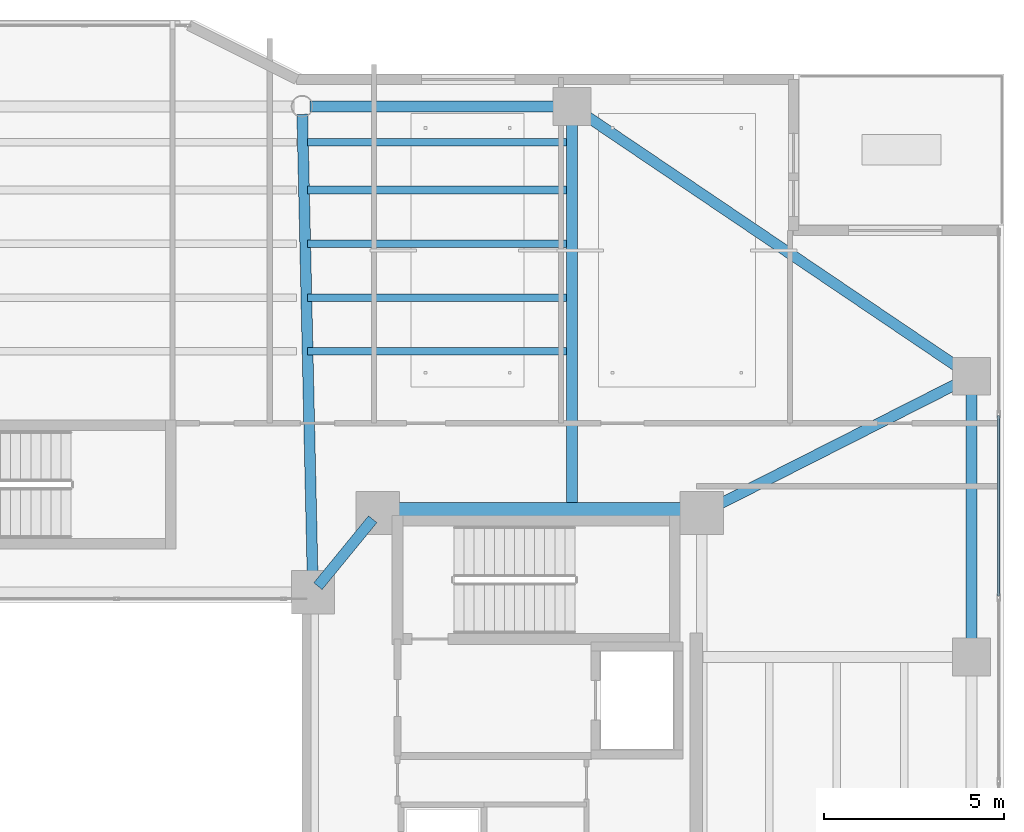
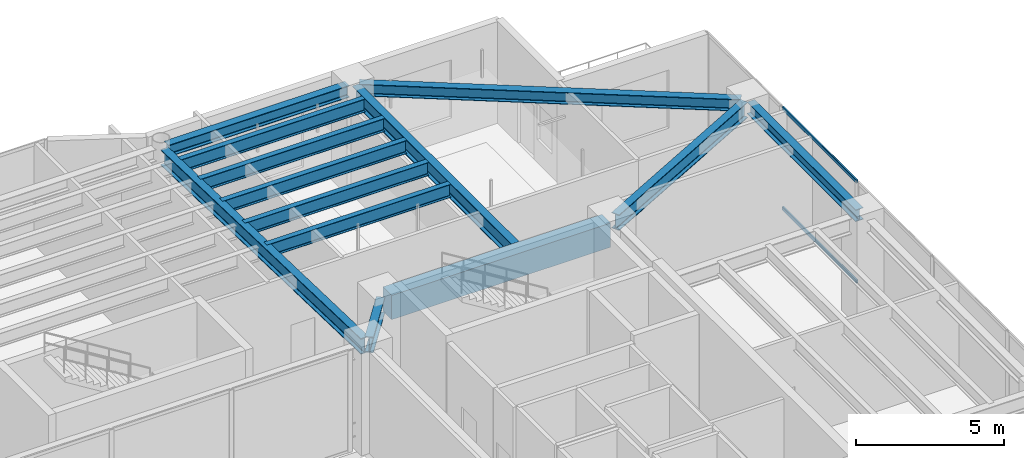
# One storey, part 24 of 37: 13 beams, 2 members, 1 element without a shape of its own.
"""IFC4 building model written with IfcOpenShell, lengths in metres."""

from ifc_helpers import new_model, si_unit, direction, frame, origin, origin_2d, place, context, subcontext, project, spatial, rectangle, hollow_rectangle, i_section, extrude, material, layer, layer_set, material_profile, profile_set, type_object, element, aggregate, save


model = new_model("IFC4")

# Units and contexts
model_context = context("Model", 3, precision=1e-05, world=origin(), true_north=direction((0.0, 1.0)))
body_context = subcontext(model_context, "Body", "Model", "MODEL_VIEW")
ifc_project = project(units=[si_unit("LENGTHUNIT", "METRE"), si_unit("AREAUNIT", "SQUARE_METRE"), si_unit("VOLUMEUNIT", "CUBIC_METRE"), si_unit("PLANEANGLEUNIT", "RADIAN"), si_unit("MASSUNIT", "GRAM", prefix="KILO")], contexts=[model_context])

# Site, building, storey
site_placement = place(None, origin())
site = spatial("IfcSite", under=ifc_project, at=site_placement, CompositionType="ELEMENT")
building_placement = place(site_placement, origin())
building = spatial("IfcBuilding", under=site, at=building_placement, Name="Tarnavaz Court Tower", CompositionType="ELEMENT")
storey_placement = place(building_placement, frame((0.0, 0.0, 118.5)))
storey = spatial("IfcBuildingStorey", under=building, at=storey_placement, Name="L32", CompositionType="ELEMENT", Elevation=118.5)

# Beams
ifc_material_1 = material(Name="Concrete C60/75", Category="concrete")
ifc_material_profile_1 = material_profile(ifc_material_1, rectangle(XDim=0.60009765625, YDim=1.0, at=origin_2d()), Name="RC 600X1000")
ifc_profile_set_1 = profile_set([ifc_material_profile_1], Name="Concrete C60/75")
beam_type_1 = type_object("IfcBeamType", Name="BM-CB1000", PredefinedType="LINTEL", material=ifc_profile_set_1)
beam_1_placement = place(storey_placement, frame((18.3798828125, 10.0, 3.699951171875), z_axis=(-1.0, 0.0, 0.0), x_axis=(0.0, -1.0, 0.0)))
element("IfcBeam", 1, at=beam_1_placement, inside=storey, type_object=beam_type_1, Name="L32 Beam IN-CE-NO-CE-NI", PredefinedType="LINTEL", context=body_context, shape_type="SweptSolid", body=[
    extrude(rectangle(XDim=0.60009765625, YDim=1.0, at=origin_2d()), origin(), (0.0, 0.0, 1.0), 8.559814453125),
])
ifc_material_2 = material(Name="Steel S355", Category="steel")
ifc_material_profile_2 = material_profile(ifc_material_2, i_section(OverallWidth=0.300048828125, OverallDepth=0.64990234375, WebThickness=0.01611328125, FlangeThickness=0.031005859375, FilletRadius=0.027099609375, at=origin_2d()), Name="HEB 650")
ifc_profile_set_2 = profile_set([ifc_material_profile_2], Name="Steel S355")
beam_type_2 = type_object("IfcBeamType", Name="BM-G-HEB650", PredefinedType="USERDEFINED", material=ifc_profile_set_2)
beam_2_placement = place(storey_placement, frame((9.460693359375, 9.82958984375, 3.875), z_axis=(-0.633282058357, -0.773921077735, 0.0), x_axis=(0.773921077735, -0.633282058357, 0.0)))
element("IfcBeam", 2, at=beam_2_placement, inside=storey, type_object=beam_type_2, Name="L32 Beam IN-CE-NI-IW-NE", ObjectType="GIRDER", PredefinedType="USERDEFINED", context=body_context, shape_type="SweptSolid", body=[
    extrude(i_section(OverallWidth=0.300048828125, OverallDepth=0.64990234375, WebThickness=0.01611328125, FlangeThickness=0.031005859375, FilletRadius=0.027099609375, at=origin_2d()), origin(), (0.0, 0.0, 1.0), 2.402587890625),
])
beam_3_placement = place(storey_placement, frame((7.795166015625, 8.02001953125, 3.875), z_axis=(-0.022221303469, 0.99975307635, 0.0), x_axis=(-0.99975307635, -0.022221303469, 0.0)))
element("IfcBeam", 3, at=beam_3_placement, inside=storey, type_object=beam_type_2, Name="L32 Beam RG-03", ObjectType="GIRDER", PredefinedType="USERDEFINED", context=body_context, shape_type="SweptSolid", body=[
    extrude(i_section(OverallWidth=0.300048828125, OverallDepth=0.64990234375, WebThickness=0.01611328125, FlangeThickness=0.031005859375, FilletRadius=0.027099609375, at=origin_2d()), origin(), (0.0, 0.0, 1.0), 13.063232421875),
])
beam_4_placement = place(storey_placement, frame((15.0, 10.0400390625, 3.875), z_axis=(0.0, 1.0, 0.0), x_axis=(-1.0, 0.0, 0.0)))
element("IfcBeam", 4, at=beam_4_placement, inside=storey, type_object=beam_type_2, Name="L32 Beam RG-04", ObjectType="GIRDER", PredefinedType="USERDEFINED", context=body_context, shape_type="SweptSolid", body=[
    extrude(i_section(OverallWidth=0.300048828125, OverallDepth=0.64990234375, WebThickness=0.01611328125, FlangeThickness=0.031005859375, FilletRadius=0.027099609375, at=origin_2d()), origin(), (0.0, 0.0, 1.0), 11.0400390625),
])
beam_5_placement = place(storey_placement, frame((18.796142578125, 10.099365234375, 3.875), z_axis=(0.892030669981, 0.451974870776, 0.0), x_axis=(-0.451974870776, 0.892030669981, 0.0)))
element("IfcBeam", 5, at=beam_5_placement, inside=storey, type_object=beam_type_2, Name="L32 Beam RG-12", ObjectType="GIRDER", PredefinedType="USERDEFINED", context=body_context, shape_type="SweptSolid", body=[
    extrude(i_section(OverallWidth=0.300048828125, OverallDepth=0.64990234375, WebThickness=0.01611328125, FlangeThickness=0.031005859375, FilletRadius=0.027099609375, at=origin_2d()), origin(), (0.0, 0.0, 1.0), 7.968017578125),
])
ifc_material_profile_3 = material_profile(ifc_material_2, i_section(OverallWidth=0.2099609375, OverallDepth=0.550048828125, WebThickness=0.010986328125, FlangeThickness=0.01708984375, FilletRadius=0.02392578125, at=origin_2d()), Name="IPE 550")
ifc_profile_set_3 = profile_set([ifc_material_profile_3], Name="Steel S355")
beam_type_3 = type_object("IfcBeamType", Name="BM-J-IPE550", PredefinedType="JOIST", material=ifc_profile_set_3)
for number, where, z_axis, x_axis, name in (
    (6, (7.64990234375, 14.493896484375, 3.925048828125), (1.0, 0.0, 0.0), (0.0, 1.0, 0.0), "L32 Beam JN1-3"),
    (7, (7.64990234375, 15.988037109375, 3.925048828125), (1.0, 0.0, 0.0), (0.0, 1.0, 0.0), "L32 Beam JN2-3"),
    (8, (7.64990234375, 17.48193359375, 3.925048828125), (1.0, 0.0, 0.0), (0.0, 1.0, 0.0), "L32 Beam JN3-3"),
    (9, (7.64990234375, 18.97607421875, 3.925048828125), (1.0, 0.0, 0.0), (0.0, 1.0, 0.0), "L32 Beam JN4-3"),
    (10, (7.64990234375, 20.303955078125, 3.925048828125), (1.0, 0.0, 0.0), (0.0, 1.0, 0.0), "L32 Beam JN5-3"),
):
    element("IfcBeam", number, at=place(storey_placement, frame(where, z_axis=z_axis, x_axis=x_axis)), inside=storey, type_object=beam_type_3, Name=name, PredefinedType="JOIST", context=body_context, shape_type="SweptSolid", body=[
        extrude(i_section(OverallWidth=0.2099609375, OverallDepth=0.550048828125, WebThickness=0.010986328125, FlangeThickness=0.01708984375, FilletRadius=0.02392578125, at=origin_2d()), origin(), (0.0, 0.0, 1.0), 7.2001953125),
    ])
ifc_material_profile_4 = material_profile(ifc_material_2, i_section(OverallWidth=0.300048828125, OverallDepth=0.489990234375, WebThickness=0.011962890625, FlangeThickness=0.02294921875, FilletRadius=0.027099609375, at=origin_2d()), Name="HEA 500")
ifc_profile_set_4 = profile_set([ifc_material_profile_4], Name="Steel S355")
beam_type_4 = type_object("IfcBeamType", Name="BM-SP-HEA500", PredefinedType="SPANDREL", material=ifc_profile_set_4)
beam_6_placement = place(storey_placement, frame((7.719970703125, 21.300048828125, 3.955078125), z_axis=(1.0, 0.0, 0.0), x_axis=(0.0, 1.0, 0.0)))
element("IfcBeam", 11, at=beam_6_placement, inside=storey, type_object=beam_type_4, Name="L32 Beam PR-PN-3-PN-4", PredefinedType="SPANDREL", context=body_context, shape_type="SweptSolid", body=[
    extrude(i_section(OverallWidth=0.300048828125, OverallDepth=0.489990234375, WebThickness=0.011962890625, FlangeThickness=0.02294921875, FilletRadius=0.027099609375, at=origin_2d()), origin(), (0.0, 0.0, 1.0), 7.06005859375),
])
beam_7_placement = place(storey_placement, frame((26.10009765625, 6.219970703125, 3.955078125), z_axis=(0.0, 1.0, 0.0), x_axis=(-1.0, 0.0, 0.0)))
element("IfcBeam", 12, at=beam_7_placement, inside=storey, type_object=beam_type_4, Name="L32 Beam PR-PE-3-PE-4", PredefinedType="SPANDREL", context=body_context, shape_type="SweptSolid", body=[
    extrude(i_section(OverallWidth=0.300048828125, OverallDepth=0.489990234375, WebThickness=0.011962890625, FlangeThickness=0.02294921875, FilletRadius=0.027099609375, at=origin_2d()), origin(), (0.0, 0.0, 1.0), 7.360107421875),
])
beam_8_placement = place(storey_placement, frame((15.182373046875, 21.1767578125, 3.955078125), z_axis=(0.828587314918, -0.559859858854, 0.0), x_axis=(0.559859858854, 0.828587314918, 0.0)))
element("IfcBeam", 13, at=beam_8_placement, inside=storey, type_object=beam_type_4, Name="L32 Beam PR-PN-4-PE-4", PredefinedType="SPANDREL", context=body_context, shape_type="SweptSolid", body=[
    extrude(i_section(OverallWidth=0.300048828125, OverallDepth=0.489990234375, WebThickness=0.011962890625, FlangeThickness=0.02294921875, FilletRadius=0.027099609375, at=origin_2d()), origin(), (0.0, 0.0, 1.0), 12.956298828125),
])

# Curtain wall, members
ifc_material_3 = material(Name="Anodised Aluminium 6063-T6 and Solar Low-E Glazing", Category="aluminium")
ifc_layer = layer(ifc_material_3, 0.199951171875)
ifc_layer_set = layer_set([ifc_layer], Name="Anodised Aluminium 6063-T6 and Solar Low-E Glazing")
curtain_wall_type = type_object("IfcCurtainWallType", Name="CW-SYS-05", PredefinedType="NOTDEFINED", material=ifc_layer_set)
curtain_wall_placement = place(storey_placement, origin())
curtain_wall = element("IfcCurtainWall", 14, at=curtain_wall_placement, inside=storey, type_object=curtain_wall_type, Name="L32 Sky-Portal Curtain Wall 12", PredefinedType="NOTDEFINED")
ifc_material_4 = material(Name="Anodised Aluminium 6063-T6", Category="aluminium")
ifc_material_profile_5 = material_profile(ifc_material_4, hollow_rectangle(XDim=0.06494140625, YDim=0.139892578125, WallThickness=0.00390625, InnerFilletRadius=0.00390625, OuterFilletRadius=0.008056640625, at=origin_2d()), Name="ALU RHS 140X65X4")
ifc_profile_set_5 = profile_set([ifc_material_profile_5], Name="Anodised Aluminium 6063-T6")
member_type = type_object("IfcMemberType", Name="CW-TRN-140", PredefinedType="USERDEFINED", material=ifc_profile_set_5)
member_1_placement = place(storey_placement, frame((26.85009765625, 12.70751953125, 0.032470703125), z_axis=(0.0, -1.0, 0.0), x_axis=(1.0, 0.0, 0.0)))
member_1 = element("IfcMember", 15, at=member_1_placement, type_object=member_type, Name="CW transom 2.1", ObjectType="TRANSOM", PredefinedType="USERDEFINED", context=body_context, shape_type="SweptSolid", body=[
    extrude(hollow_rectangle(XDim=0.06494140625, YDim=0.139892578125, WallThickness=0.00390625, InnerFilletRadius=0.00390625, OuterFilletRadius=0.008056640625, at=origin_2d()), origin(), (0.0, 0.0, 1.0), 5.01513671875),
])
member_2_placement = place(storey_placement, frame((26.85009765625, 12.70751953125, 4.16748046875), z_axis=(0.0, -1.0, 0.0), x_axis=(1.0, 0.0, 0.0)))
member_2 = element("IfcMember", 16, at=member_2_placement, type_object=member_type, Name="CW transom 2.2", ObjectType="TRANSOM", PredefinedType="USERDEFINED", context=body_context, shape_type="SweptSolid", body=[
    extrude(hollow_rectangle(XDim=0.06494140625, YDim=0.139892578125, WallThickness=0.00390625, InnerFilletRadius=0.00390625, OuterFilletRadius=0.008056640625, at=origin_2d()), origin(), (0.0, 0.0, 1.0), 5.01513671875),
])
aggregate(curtain_wall, [member_1, member_2])

save(model, "model.ifc")
